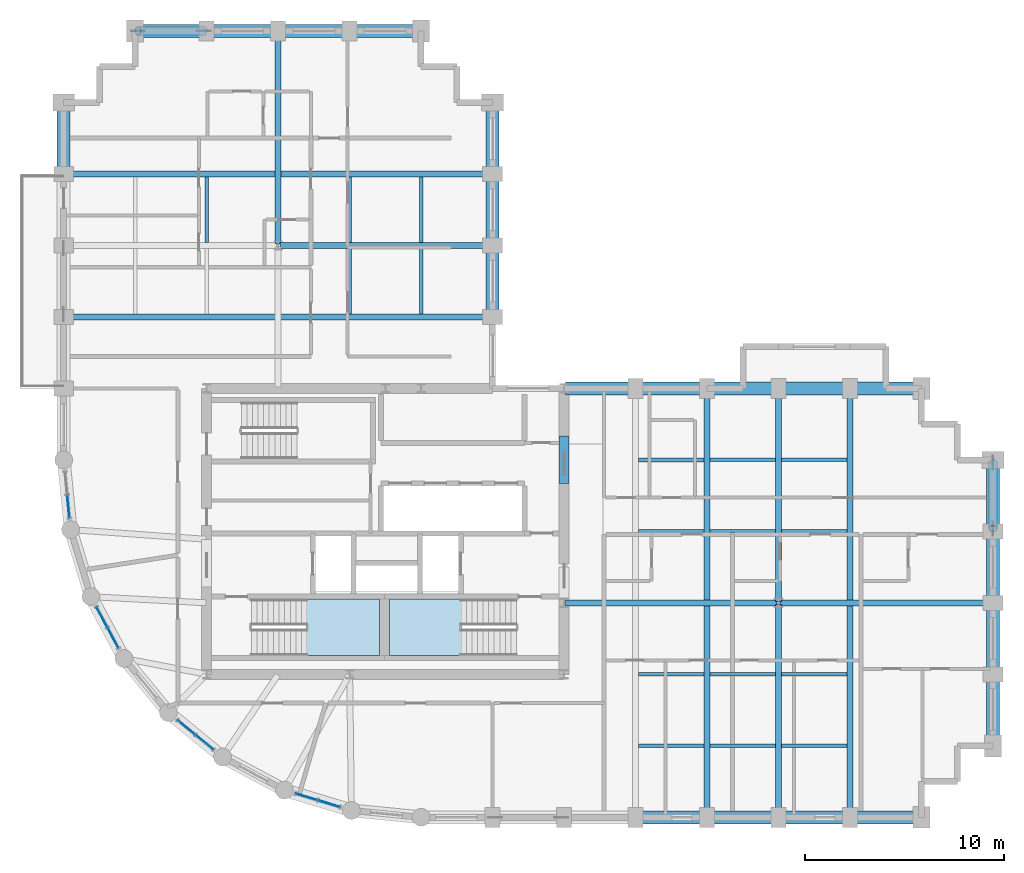
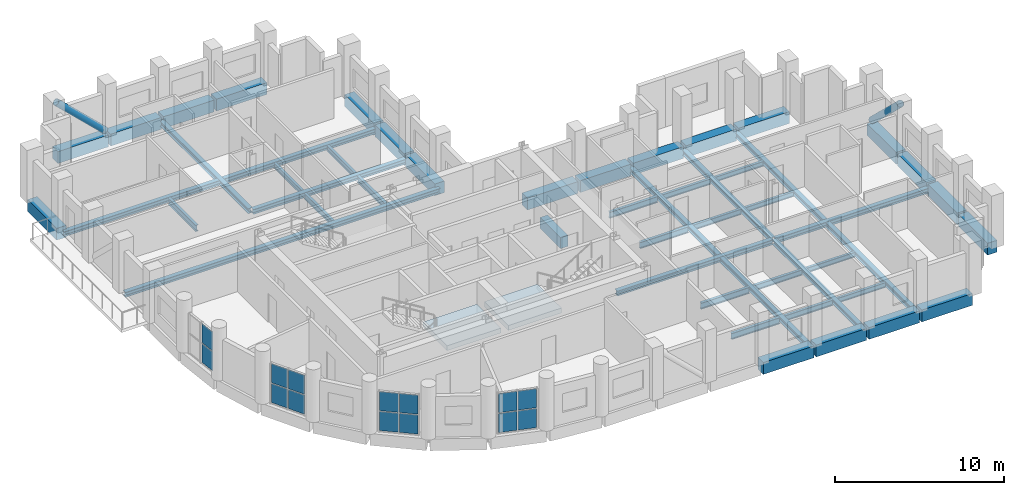
# One storey, part 7 of 15: 49 beams, 14 plates, 2 members, 2 slabs, 6 elements without a shape of their own.
"""IFC4 building model written with IfcOpenShell, lengths in metres."""

from ifc_helpers import new_model, si_unit, direction, frame, origin, origin_2d, place, context, subcontext, project, spatial, polyline, rectangle, hollow_circle, i_section, outline, extrude, material, layer, layer_set, material_profile, profile_set, type_object, element, aggregate, save


model = new_model("IFC4")

# Units and contexts
model_context = context("Model", 3, precision=1e-05, world=origin(), true_north=direction((0.0, 1.0)))
body_context = subcontext(model_context, "Body", "Model", "MODEL_VIEW")
ifc_project = project(units=[si_unit("LENGTHUNIT", "METRE"), si_unit("AREAUNIT", "SQUARE_METRE"), si_unit("VOLUMEUNIT", "CUBIC_METRE"), si_unit("PLANEANGLEUNIT", "RADIAN"), si_unit("MASSUNIT", "GRAM", prefix="KILO")], contexts=[model_context])

# Site, building, storey
site_placement = place(None, origin())
site = spatial("IfcSite", under=ifc_project, at=site_placement, CompositionType="ELEMENT")
building_placement = place(site_placement, origin())
building = spatial("IfcBuilding", under=site, at=building_placement, Name="Solnavia Interchange Tower", CompositionType="ELEMENT")
storey_placement = place(building_placement, frame((0.0, 0.0, 146.60009765625)))
storey = spatial("IfcBuildingStorey", under=building, at=storey_placement, Name="L36", CompositionType="ELEMENT", Elevation=146.60009765625)

# Beams
ifc_material_1 = material(Name="Concrete C50/60", Category="concrete")
ifc_material_profile_1 = material_profile(ifc_material_1, rectangle(XDim=0.5, YDim=0.800048828125, at=origin_2d()), Name="RC 500x800")
ifc_profile_set_1 = profile_set([ifc_material_profile_1], Name="Concrete C50/60")
beam_type_1 = type_object("IfcBeamType", Name="Beam-Coupling-RC500x800", PredefinedType="LINTEL", material=ifc_profile_set_1)
beam_1_placement = place(storey_placement, frame((32.39990234375, 20.39990234375, -0.400146484375), z_axis=(0.0, 1.0, 0.0), x_axis=(-1.0, 0.0, 0.0)))
element("IfcBeam", 1, at=beam_1_placement, inside=storey, type_object=beam_type_1, Name="CPB-L36-E2 Core coupling lintel beam", PredefinedType="LINTEL", context=body_context, shape_type="SweptSolid", body=[
    extrude(rectangle(XDim=0.5, YDim=0.800048828125, at=origin_2d()), origin(), (0.0, 0.0, 1.0), 2.400146484375),
])
ifc_material_2 = material(Name="Steel S460", Category="steel")
ifc_material_profile_2 = material_profile(ifc_material_2, i_section(OverallWidth=0.300048828125, OverallDepth=0.360107421875, WebThickness=0.012451171875, FlangeThickness=0.0224609375, FilletRadius=0.027099609375, at=origin_2d()), Name="HEB 360")
ifc_profile_set_2 = profile_set([ifc_material_profile_2], Name="Steel S460")
beam_type_2 = type_object("IfcBeamType", Name="Beam-Girder-HEB360", PredefinedType="BEAM", material=ifc_profile_set_2)
beam_2_placement = place(storey_placement, frame((32.47998046875, 14.39990234375, -0.43017578125), z_axis=(1.0, 0.0, 0.0), x_axis=(0.0, 1.0, 0.0)))
element("IfcBeam", 2, at=beam_2_placement, inside=storey, type_object=beam_type_2, Name="GRD-L36-ES01 East wing spine girder", PredefinedType="BEAM", context=body_context, shape_type="SweptSolid", body=[
    extrude(i_section(OverallWidth=0.300048828125, OverallDepth=0.360107421875, WebThickness=0.012451171875, FlangeThickness=0.0224609375, FilletRadius=0.027099609375, at=origin_2d()), origin(), (0.0, 0.0, 1.0), 10.64013671875),
])
beam_3_placement = place(storey_placement, frame((43.280029296875, 14.39990234375, -0.43017578125), z_axis=(1.0, 0.0, 0.0), x_axis=(0.0, 1.0, 0.0)))
element("IfcBeam", 3, at=beam_3_placement, inside=storey, type_object=beam_type_2, Name="GRD-L36-ES02 East wing spine girder", PredefinedType="BEAM", context=body_context, shape_type="SweptSolid", body=[
    extrude(i_section(OverallWidth=0.300048828125, OverallDepth=0.360107421875, WebThickness=0.012451171875, FlangeThickness=0.0224609375, FilletRadius=0.027099609375, at=origin_2d()), origin(), (0.0, 0.0, 1.0), 10.639892578125),
])
for number, where, z_axis, x_axis, name in (
    (4, (39.60009765625, 3.679931640625, -0.43017578125), (0.0, 1.0, 0.0), (-1.0, 0.0, 0.0), "GRD-L36-EW04 East wing primary floor girder"),
    (5, (46.800048828125, 3.679931640625, -0.43017578125), (0.0, 1.0, 0.0), (-1.0, 0.0, 0.0), "GRD-L36-EW07 East wing primary floor girder"),
):
    element("IfcBeam", number, at=place(storey_placement, frame(where, z_axis=z_axis, x_axis=x_axis)), inside=storey, type_object=beam_type_2, Name=name, PredefinedType="BEAM", context=body_context, shape_type="SweptSolid", body=[
        extrude(i_section(OverallWidth=0.300048828125, OverallDepth=0.360107421875, WebThickness=0.012451171875, FlangeThickness=0.0224609375, FilletRadius=0.027099609375, at=origin_2d()), origin(), (0.0, 0.0, 1.0), 21.440185546875),
    ])
beam_4_placement = place(storey_placement, frame((18.0, 32.47998046875, -0.43017578125), z_axis=(0.0, 1.0, 0.0), x_axis=(-1.0, 0.0, 0.0)))
element("IfcBeam", 6, at=beam_4_placement, inside=storey, type_object=beam_type_2, Name="GRD-L36-NS09 North wing spine girder", PredefinedType="BEAM", context=body_context, shape_type="SweptSolid", body=[
    extrude(i_section(OverallWidth=0.300048828125, OverallDepth=0.360107421875, WebThickness=0.012451171875, FlangeThickness=0.0224609375, FilletRadius=0.027099609375, at=origin_2d()), origin(), (0.0, 0.0, 1.0), 10.64013671875),
])
for number, where, z_axis, x_axis, name in (
    (7, (7.280029296875, 28.800048828125, -0.43017578125), (1.0, 0.0, 0.0), (0.0, 1.0, 0.0), "GRD-L36-NW10 North wing primary floor girder"),
    (8, (7.280029296875, 36.0, -0.43017578125), (1.0, 0.0, 0.0), (0.0, 1.0, 0.0), "GRD-L36-NW13 North wing primary floor girder"),
):
    element("IfcBeam", number, at=place(storey_placement, frame(where, z_axis=z_axis, x_axis=x_axis)), inside=storey, type_object=beam_type_2, Name=name, PredefinedType="BEAM", context=body_context, shape_type="SweptSolid", body=[
        extrude(i_section(OverallWidth=0.300048828125, OverallDepth=0.360107421875, WebThickness=0.012451171875, FlangeThickness=0.0224609375, FilletRadius=0.027099609375, at=origin_2d()), origin(), (0.0, 0.0, 1.0), 21.43994140625),
    ])
ifc_material_3 = material(Name="Steel S355", Category="steel")
ifc_material_profile_3 = material_profile(ifc_material_3, i_section(OverallWidth=0.169921875, OverallDepth=0.360107421875, WebThickness=0.008056640625, FlangeThickness=0.0126953125, FilletRadius=0.01806640625, at=origin_2d()), Name="IPE 360")
ifc_profile_set_3 = profile_set([ifc_material_profile_3], Name="Steel S355")
beam_type_3 = type_object("IfcBeamType", Name="Beam-Joist-IPE360", PredefinedType="JOIST", material=ifc_profile_set_3)
for number, where, z_axis, x_axis, name in (
    (9, (43.35009765625, 7.199951171875, -0.43017578125), (1.0, 0.0, 0.0), (0.0, 1.0, 0.0), "JST-L36-E03 East wing secondary joist"),
    (10, (43.35009765625, 10.800048828125, -0.43017578125), (1.0, 0.0, 0.0), (0.0, 1.0, 0.0), "JST-L36-E06 East wing secondary joist"),
    (11, (43.35009765625, 18.0, -0.43017578125), (1.0, 0.0, 0.0), (0.0, 1.0, 0.0), "JST-L36-E09 East wing secondary joist"),
    (12, (43.35009765625, 21.60009765625, -0.43017578125), (1.0, 0.0, 0.0), (0.0, 1.0, 0.0), "JST-L36-E12 East wing secondary joist"),
):
    element("IfcBeam", number, at=place(storey_placement, frame(where, z_axis=z_axis, x_axis=x_axis)), inside=storey, type_object=beam_type_3, Name=name, PredefinedType="JOIST", context=body_context, shape_type="SweptSolid", body=[
        extrude(i_section(OverallWidth=0.169921875, OverallDepth=0.360107421875, WebThickness=0.008056640625, FlangeThickness=0.0126953125, FilletRadius=0.01806640625, at=origin_2d()), origin(), (0.0, 0.0, 1.0), 3.2998046875),
    ])
beam_5_placement = place(storey_placement, frame((21.60009765625, 32.550048828125, -0.43017578125), z_axis=(0.0, 1.0, 0.0), x_axis=(-1.0, 0.0, 0.0)))
element("IfcBeam", 13, at=beam_5_placement, inside=storey, type_object=beam_type_3, Name="JST-L36-N18 North wing secondary joist", PredefinedType="JOIST", context=body_context, shape_type="SweptSolid", body=[
    extrude(i_section(OverallWidth=0.169921875, OverallDepth=0.360107421875, WebThickness=0.008056640625, FlangeThickness=0.0126953125, FilletRadius=0.01806640625, at=origin_2d()), origin(), (0.0, 0.0, 1.0), 3.300048828125),
])
ifc_material_profile_4 = material_profile(ifc_material_3, i_section(OverallWidth=0.179931640625, OverallDepth=0.39990234375, WebThickness=0.008544921875, FlangeThickness=0.013427734375, FilletRadius=0.02099609375, at=origin_2d()), Name="IPE 400")
ifc_profile_set_4 = profile_set([ifc_material_profile_4], Name="Steel S355")
beam_type_4 = type_object("IfcBeamType", Name="Beam-Joist-IPE400", PredefinedType="JOIST", material=ifc_profile_set_4)
for number, where, z_axis, x_axis, name in (
    (14, (39.75, 7.199951171875, -0.4501953125), (1.0, 0.0, 0.0), (0.0, 1.0, 0.0), "JST-L36-E02 East wing secondary joist"),
    (15, (39.75, 10.800048828125, -0.4501953125), (1.0, 0.0, 0.0), (0.0, 1.0, 0.0), "JST-L36-E05 East wing secondary joist"),
    (16, (39.75, 18.0, -0.4501953125), (1.0, 0.0, 0.0), (0.0, 1.0, 0.0), "JST-L36-E08 East wing secondary joist"),
    (17, (39.75, 21.60009765625, -0.4501953125), (1.0, 0.0, 0.0), (0.0, 1.0, 0.0), "JST-L36-E11 East wing secondary joist"),
    (18, (21.60009765625, 28.949951171875, -0.4501953125), (0.0, 1.0, 0.0), (-1.0, 0.0, 0.0), "JST-L36-N17 North wing secondary joist"),
    (19, (25.199951171875, 32.550048828125, -0.4501953125), (0.0, 1.0, 0.0), (-1.0, 0.0, 0.0), "JST-L36-N20 North wing secondary joist"),
):
    element("IfcBeam", number, at=place(storey_placement, frame(where, z_axis=z_axis, x_axis=x_axis)), inside=storey, type_object=beam_type_4, Name=name, PredefinedType="JOIST", context=body_context, shape_type="SweptSolid", body=[
        extrude(i_section(OverallWidth=0.179931640625, OverallDepth=0.39990234375, WebThickness=0.008544921875, FlangeThickness=0.013427734375, FilletRadius=0.02099609375, at=origin_2d()), origin(), (0.0, 0.0, 1.0), 3.300048828125),
    ])
ifc_material_profile_5 = material_profile(ifc_material_3, i_section(OverallWidth=0.18994140625, OverallDepth=0.449951171875, WebThickness=0.009521484375, FlangeThickness=0.0146484375, FilletRadius=0.02099609375, at=origin_2d()), Name="IPE 450")
ifc_profile_set_5 = profile_set([ifc_material_profile_5], Name="Steel S355")
beam_type_5 = type_object("IfcBeamType", Name="Beam-Joist-IPE450", PredefinedType="JOIST", material=ifc_profile_set_5)
for number, where, z_axis, x_axis, name in (
    (20, (36.14990234375, 7.199951171875, -0.47509765625), (1.0, 0.0, 0.0), (0.0, 1.0, 0.0), "JST-L36-E01 East wing secondary joist"),
    (21, (36.14990234375, 10.800048828125, -0.47509765625), (1.0, 0.0, 0.0), (0.0, 1.0, 0.0), "JST-L36-E04 East wing secondary joist"),
    (22, (36.14990234375, 18.0, -0.47509765625), (1.0, 0.0, 0.0), (0.0, 1.0, 0.0), "JST-L36-E07 East wing secondary joist"),
    (23, (36.14990234375, 21.60009765625, -0.47509765625), (1.0, 0.0, 0.0), (0.0, 1.0, 0.0), "JST-L36-E10 East wing secondary joist"),
    (24, (14.39990234375, 32.550048828125, -0.47509765625), (0.0, 1.0, 0.0), (-1.0, 0.0, 0.0), "JST-L36-N16 North wing secondary joist"),
    (25, (25.199951171875, 28.949951171875, -0.47509765625), (0.0, 1.0, 0.0), (-1.0, 0.0, 0.0), "JST-L36-N19 North wing secondary joist"),
):
    element("IfcBeam", number, at=place(storey_placement, frame(where, z_axis=z_axis, x_axis=x_axis)), inside=storey, type_object=beam_type_5, Name=name, PredefinedType="JOIST", context=body_context, shape_type="SweptSolid", body=[
        extrude(i_section(OverallWidth=0.18994140625, OverallDepth=0.449951171875, WebThickness=0.009521484375, FlangeThickness=0.0146484375, FilletRadius=0.02099609375, at=origin_2d()), origin(), (0.0, 0.0, 1.0), 3.300048828125),
    ])
ifc_material_profile_6 = material_profile(ifc_material_3, i_section(OverallWidth=0.300048828125, OverallDepth=0.35009765625, WebThickness=0.010009765625, FlangeThickness=0.017578125, FilletRadius=0.027099609375, at=origin_2d()), Name="HEA 360")
ifc_profile_set_6 = profile_set([ifc_material_profile_6], Name="Steel S355")
beam_type_6 = type_object("IfcBeamType", Name="Beam-Primary-HEA360", PredefinedType="BEAM", material=ifc_profile_set_6)
for number, where, z_axis, x_axis, name in (
    (26, (43.199951171875, 3.679931640625, -0.425048828125), (0.0, 1.0, 0.0), (-1.0, 0.0, 0.0), "GRD-L36-EW05 East wing primary floor girder"),
    (27, (43.199951171875, 14.47998046875, -0.425048828125), (0.0, 1.0, 0.0), (-1.0, 0.0, 0.0), "GRD-L36-EW06 East wing primary floor girder"),
):
    element("IfcBeam", number, at=place(storey_placement, frame(where, z_axis=z_axis, x_axis=x_axis)), inside=storey, type_object=beam_type_6, Name=name, PredefinedType="BEAM", context=body_context, shape_type="SweptSolid", body=[
        extrude(i_section(OverallWidth=0.300048828125, OverallDepth=0.35009765625, WebThickness=0.010009765625, FlangeThickness=0.017578125, FilletRadius=0.027099609375, at=origin_2d()), origin(), (0.0, 0.0, 1.0), 10.64013671875),
    ])
beam_6_placement = place(storey_placement, frame((18.080078125, 32.39990234375, -0.425048828125), z_axis=(1.0, 0.0, 0.0), x_axis=(0.0, 1.0, 0.0)))
element("IfcBeam", 28, at=beam_6_placement, inside=storey, type_object=beam_type_6, Name="GRD-L36-NW12 North wing primary floor girder", PredefinedType="BEAM", context=body_context, shape_type="SweptSolid", body=[
    extrude(i_section(OverallWidth=0.300048828125, OverallDepth=0.35009765625, WebThickness=0.010009765625, FlangeThickness=0.017578125, FilletRadius=0.027099609375, at=origin_2d()), origin(), (0.0, 0.0, 1.0), 10.639892578125),
])
ifc_material_profile_7 = material_profile(ifc_material_1, rectangle(XDim=0.64990234375, YDim=0.85009765625, at=origin_2d()), Name="RC 650x850")
ifc_profile_set_7 = profile_set([ifc_material_profile_7], Name="Concrete C50/60")
beam_type_7 = type_object("IfcBeamType", Name="Beam-Spandrel-RC650x850", PredefinedType="SPANDREL", material=ifc_profile_set_7)
beam_7_placement = place(storey_placement, frame((36.080078125, 3.60009765625, -0.425048828125), z_axis=(1.0, 0.0, 0.0), x_axis=(0.0, 1.0, 0.0)))
element("IfcBeam", 29, at=beam_7_placement, inside=storey, type_object=beam_type_7, Name="SPB-L36-12 Framed-tube perimeter spandrel beam", PredefinedType="SPANDREL", context=body_context, shape_type="SweptSolid", body=[
    extrude(rectangle(XDim=0.64990234375, YDim=0.85009765625, at=origin_2d()), origin(), (0.0, 0.0, 1.0), 3.43994140625),
])
beam_8_placement = place(storey_placement, frame((39.679931640625, 3.60009765625, -0.425048828125), z_axis=(1.0, 0.0, 0.0), x_axis=(0.0, 1.0, 0.0)))
element("IfcBeam", 30, at=beam_8_placement, inside=storey, type_object=beam_type_7, Name="SPB-L36-13 Framed-tube perimeter spandrel beam", PredefinedType="SPANDREL", context=body_context, shape_type="SweptSolid", body=[
    extrude(rectangle(XDim=0.64990234375, YDim=0.85009765625, at=origin_2d()), origin(), (0.0, 0.0, 1.0), 3.440185546875),
])
beam_9_placement = place(storey_placement, frame((43.280029296875, 3.60009765625, -0.425048828125), z_axis=(1.0, 0.0, 0.0), x_axis=(0.0, 1.0, 0.0)))
element("IfcBeam", 31, at=beam_9_placement, inside=storey, type_object=beam_type_7, Name="SPB-L36-14 Framed-tube perimeter spandrel beam", PredefinedType="SPANDREL", context=body_context, shape_type="SweptSolid", body=[
    extrude(rectangle(XDim=0.64990234375, YDim=0.85009765625, at=origin_2d()), origin(), (0.0, 0.0, 1.0), 3.43994140625),
])
beam_10_placement = place(storey_placement, frame((46.8798828125, 3.60009765625, -0.425048828125), z_axis=(1.0, 0.0, 0.0), x_axis=(0.0, 1.0, 0.0)))
element("IfcBeam", 32, at=beam_10_placement, inside=storey, type_object=beam_type_7, Name="SPB-L36-15 Framed-tube perimeter spandrel beam", PredefinedType="SPANDREL", context=body_context, shape_type="SweptSolid", body=[
    extrude(rectangle(XDim=0.64990234375, YDim=0.85009765625, at=origin_2d()), origin(), (0.0, 0.0, 1.0), 3.440185546875),
])
beam_11_placement = place(storey_placement, frame((54.0, 7.280029296875, -0.425048828125), z_axis=(0.0, 1.0, 0.0), x_axis=(-1.0, 0.0, 0.0)))
element("IfcBeam", 33, at=beam_11_placement, inside=storey, type_object=beam_type_7, Name="SPB-L36-16 Framed-tube perimeter spandrel beam", PredefinedType="SPANDREL", context=body_context, shape_type="SweptSolid", body=[
    extrude(rectangle(XDim=0.64990234375, YDim=0.85009765625, at=origin_2d()), origin(), (0.0, 0.0, 1.0), 3.43994140625),
])
beam_12_placement = place(storey_placement, frame((54.0, 10.8798828125, -0.425048828125), z_axis=(0.0, 1.0, 0.0), x_axis=(-1.0, 0.0, 0.0)))
element("IfcBeam", 34, at=beam_12_placement, inside=storey, type_object=beam_type_7, Name="SPB-L36-17 Framed-tube perimeter spandrel beam", PredefinedType="SPANDREL", context=body_context, shape_type="SweptSolid", body=[
    extrude(rectangle(XDim=0.64990234375, YDim=0.85009765625, at=origin_2d()), origin(), (0.0, 0.0, 1.0), 3.440185546875),
])
for number, where, z_axis, x_axis, name in (
    (35, (54.0, 14.47998046875, -0.425048828125), (0.0, 1.0, 0.0), (-1.0, 0.0, 0.0), "SPB-L36-18 Framed-tube perimeter spandrel beam"),
    (36, (54.0, 18.080078125, -0.425048828125), (0.0, 1.0, 0.0), (-1.0, 0.0, 0.0), "SPB-L36-19 Framed-tube perimeter spandrel beam"),
):
    element("IfcBeam", number, at=place(storey_placement, frame(where, z_axis=z_axis, x_axis=x_axis)), inside=storey, type_object=beam_type_7, Name=name, PredefinedType="SPANDREL", context=body_context, shape_type="SweptSolid", body=[
        extrude(rectangle(XDim=0.64990234375, YDim=0.85009765625, at=origin_2d()), origin(), (0.0, 0.0, 1.0), 3.43994140625),
    ])
beam_13_placement = place(storey_placement, frame((50.320068359375, 25.199951171875, -0.425048828125), z_axis=(-1.0, 0.0, 0.0), x_axis=(0.0, -1.0, 0.0)))
element("IfcBeam", 37, at=beam_13_placement, inside=storey, type_object=beam_type_7, Name="SPB-L36-20 Framed-tube perimeter spandrel beam", PredefinedType="SPANDREL", context=body_context, shape_type="SweptSolid", body=[
    extrude(rectangle(XDim=0.64990234375, YDim=0.85009765625, at=origin_2d()), origin(), (0.0, 0.0, 1.0), 3.440185546875),
])
beam_14_placement = place(storey_placement, frame((46.719970703125, 25.199951171875, -0.425048828125), z_axis=(-1.0, 0.0, 0.0), x_axis=(0.0, -1.0, 0.0)))
element("IfcBeam", 38, at=beam_14_placement, inside=storey, type_object=beam_type_7, Name="SPB-L36-21 Framed-tube perimeter spandrel beam", PredefinedType="SPANDREL", context=body_context, shape_type="SweptSolid", body=[
    extrude(rectangle(XDim=0.64990234375, YDim=0.85009765625, at=origin_2d()), origin(), (0.0, 0.0, 1.0), 3.43994140625),
])
beam_15_placement = place(storey_placement, frame((43.1201171875, 25.199951171875, -0.425048828125), z_axis=(-1.0, 0.0, 0.0), x_axis=(0.0, -1.0, 0.0)))
element("IfcBeam", 39, at=beam_15_placement, inside=storey, type_object=beam_type_7, Name="SPB-L36-22 Framed-tube perimeter spandrel beam", PredefinedType="SPANDREL", context=body_context, shape_type="SweptSolid", body=[
    extrude(rectangle(XDim=0.64990234375, YDim=0.85009765625, at=origin_2d()), origin(), (0.0, 0.0, 1.0), 3.440185546875),
])
for number, where, z_axis, x_axis, name in (
    (40, (39.52001953125, 25.199951171875, -0.425048828125), (-1.0, 0.0, 0.0), (0.0, -1.0, 0.0), "SPB-L36-23 Framed-tube perimeter spandrel beam"),
    (41, (35.919921875, 25.199951171875, -0.425048828125), (-1.0, 0.0, 0.0), (0.0, -1.0, 0.0), "SPB-L36-24 Framed-tube perimeter spandrel beam"),
):
    element("IfcBeam", number, at=place(storey_placement, frame(where, z_axis=z_axis, x_axis=x_axis)), inside=storey, type_object=beam_type_7, Name=name, PredefinedType="SPANDREL", context=body_context, shape_type="SweptSolid", body=[
        extrude(rectangle(XDim=0.64990234375, YDim=0.85009765625, at=origin_2d()), origin(), (0.0, 0.0, 1.0), 3.43994140625),
    ])
beam_16_placement = place(storey_placement, frame((28.800048828125, 28.8798828125, -0.425048828125), z_axis=(0.0, 1.0, 0.0), x_axis=(-1.0, 0.0, 0.0)))
element("IfcBeam", 42, at=beam_16_placement, inside=storey, type_object=beam_type_7, Name="SPB-L36-25 Framed-tube perimeter spandrel beam", PredefinedType="SPANDREL", context=body_context, shape_type="SweptSolid", body=[
    extrude(rectangle(XDim=0.64990234375, YDim=0.85009765625, at=origin_2d()), origin(), (0.0, 0.0, 1.0), 3.440185546875),
])
for number, where, z_axis, x_axis, name in (
    (43, (28.800048828125, 32.47998046875, -0.425048828125), (0.0, 1.0, 0.0), (-1.0, 0.0, 0.0), "SPB-L36-26 Framed-tube perimeter spandrel beam"),
    (44, (28.800048828125, 36.080078125, -0.425048828125), (0.0, 1.0, 0.0), (-1.0, 0.0, 0.0), "SPB-L36-27 Framed-tube perimeter spandrel beam"),
):
    element("IfcBeam", number, at=place(storey_placement, frame(where, z_axis=z_axis, x_axis=x_axis)), inside=storey, type_object=beam_type_7, Name=name, PredefinedType="SPANDREL", context=body_context, shape_type="SweptSolid", body=[
        extrude(rectangle(XDim=0.64990234375, YDim=0.85009765625, at=origin_2d()), origin(), (0.0, 0.0, 1.0), 3.43994140625),
    ])
beam_17_placement = place(storey_placement, frame((25.1201171875, 43.199951171875, -0.425048828125), z_axis=(-1.0, 0.0, 0.0), x_axis=(0.0, -1.0, 0.0)))
element("IfcBeam", 45, at=beam_17_placement, inside=storey, type_object=beam_type_7, Name="SPB-L36-28 Framed-tube perimeter spandrel beam", PredefinedType="SPANDREL", context=body_context, shape_type="SweptSolid", body=[
    extrude(rectangle(XDim=0.64990234375, YDim=0.85009765625, at=origin_2d()), origin(), (0.0, 0.0, 1.0), 3.440185546875),
])
for number, where, z_axis, x_axis, name in (
    (46, (21.52001953125, 43.199951171875, -0.425048828125), (-1.0, 0.0, 0.0), (0.0, -1.0, 0.0), "SPB-L36-29 Framed-tube perimeter spandrel beam"),
    (47, (17.919921875, 43.199951171875, -0.425048828125), (-1.0, 0.0, 0.0), (0.0, -1.0, 0.0), "SPB-L36-30 Framed-tube perimeter spandrel beam"),
):
    element("IfcBeam", number, at=place(storey_placement, frame(where, z_axis=z_axis, x_axis=x_axis)), inside=storey, type_object=beam_type_7, Name=name, PredefinedType="SPANDREL", context=body_context, shape_type="SweptSolid", body=[
        extrude(rectangle(XDim=0.64990234375, YDim=0.85009765625, at=origin_2d()), origin(), (0.0, 0.0, 1.0), 3.43994140625),
    ])
beam_18_placement = place(storey_placement, frame((14.320068359375, 43.199951171875, -0.425048828125), z_axis=(-1.0, 0.0, 0.0), x_axis=(0.0, -1.0, 0.0)))
element("IfcBeam", 48, at=beam_18_placement, inside=storey, type_object=beam_type_7, Name="SPB-L36-31 Framed-tube perimeter spandrel beam", PredefinedType="SPANDREL", context=body_context, shape_type="SweptSolid", body=[
    extrude(rectangle(XDim=0.64990234375, YDim=0.85009765625, at=origin_2d()), origin(), (0.0, 0.0, 1.0), 3.440185546875),
])
beam_19_placement = place(storey_placement, frame((7.199951171875, 39.52001953125, -0.425048828125), z_axis=(0.0, -1.0, 0.0), x_axis=(1.0, 0.0, 0.0)))
element("IfcBeam", 49, at=beam_19_placement, inside=storey, type_object=beam_type_7, Name="SPB-L36-32 Framed-tube perimeter spandrel beam", PredefinedType="SPANDREL", context=body_context, shape_type="SweptSolid", body=[
    extrude(rectangle(XDim=0.64990234375, YDim=0.85009765625, at=origin_2d()), origin(), (0.0, 0.0, 1.0), 3.43994140625),
])

# Members
ifc_material_profile_8 = material_profile(ifc_material_2, hollow_circle(Radius=0.228515625, WallThickness=0.02001953125, at=origin_2d()), Name="CHS 457x20")
ifc_profile_set_8 = profile_set([ifc_material_profile_8], Name="Steel S460")
member_type = type_object("IfcMemberType", Name="Brace-Perim-CHS457", PredefinedType="BRACE", material=ifc_profile_set_8)
for number, where, z_axis, x_axis, name in (
    (50, (54.0, 21.4599609375, 0.179931640625), (0.0, -0.721096918576, 0.692834203847), (1.0, 0.0, 0.0), "BRC-L36-03 Perimeter tube diagonal brace"),
    (51, (14.260009765625, 43.199951171875, 0.179931640625), (-0.721096918576, 0.0, 0.692834203847), (0.0, -1.0, 0.0), "BRC-L36-04 Perimeter tube diagonal brace"),
):
    element("IfcMember", number, at=place(storey_placement, frame(where, z_axis=z_axis, x_axis=x_axis)), inside=storey, type_object=member_type, Name=name, PredefinedType="BRACE", context=body_context, shape_type="SweptSolid", body=[
        extrude(hollow_circle(Radius=0.228515625, WallThickness=0.02001953125, at=origin_2d()), origin(), (0.0, 0.0, 1.0), 4.604248046875),
    ])

# Curtain wall, plates
ifc_material_4 = material(Name="Aluminium Alloy 6063-T6", Category="aluminium")
ifc_layer_1 = layer(ifc_material_4, 0.239990234375)
ifc_layer_set_1 = layer_set([ifc_layer_1], Name="Aluminium Alloy 6063-T6")
curtain_wall_type = type_object("IfcCurtainWallType", Name="CurtainWall-Drum-CTW2", PredefinedType="NOTDEFINED", material=ifc_layer_set_1)
curtain_wall_1_placement = place(storey_placement, origin())
curtain_wall_1 = element("IfcCurtainWall", 52, at=curtain_wall_1_placement, inside=storey, type_object=curtain_wall_type, Name="CTW-L36-D51 CTW-2 curtain wall", PredefinedType="NOTDEFINED")
ifc_material_5 = material(Name="Double-Glazed Low-E IGU Glass", Category="glass")
ifc_layer_2 = layer(ifc_material_5, 0.031982421875)
ifc_layer_set_2 = layer_set([ifc_layer_2], Name="Double-Glazed Low-E IGU Glass")
plate_type = type_object("IfcPlateType", Name="CW-Panel-Solar-32", PredefinedType="CURTAIN_PANEL", material=ifc_layer_set_2)
plate_1_placement = place(storey_placement, frame((7.431396484375, 19.252197265625, 0.06494140625), z_axis=(0.0, 0.0, 1.0), x_axis=(0.098043088306, -0.995182170678, 0.0)))
plate_1 = element("IfcPlate", 53, at=plate_1_placement, type_object=plate_type, Name="CTW-2 panel 2.1", PredefinedType="CURTAIN_PANEL", context=body_context, shape_type="SweptSolid", body=[
    extrude(rectangle(XDim=1.114501953125, YDim=0.031982421875, at=origin_2d()), origin(), (0.0, 0.0, 1.0), 1.367431640625),
])
plate_2_placement = place(storey_placement, frame((7.431396484375, 19.252197265625, 1.49755859375), z_axis=(0.0, 0.0, 1.0), x_axis=(0.098043088306, -0.995182170678, 0.0)))
plate_2 = element("IfcPlate", 54, at=plate_2_placement, type_object=plate_type, Name="CTW-2 panel 2.2", PredefinedType="CURTAIN_PANEL", context=body_context, shape_type="SweptSolid", body=[
    extrude(rectangle(XDim=1.114501953125, YDim=0.031982421875, at=origin_2d()), origin(), (0.0, 0.0, 1.0), 1.367431640625),
])
aggregate(curtain_wall_1, [plate_1, plate_2])

curtain_wall_2_placement = place(storey_placement, origin())
curtain_wall_2 = element("IfcCurtainWall", 55, at=curtain_wall_2_placement, inside=storey, type_object=curtain_wall_type, Name="CTW-L36-D53 CTW-2 curtain wall", PredefinedType="NOTDEFINED")
plate_3_placement = place(storey_placement, frame((9.12158203125, 13.680419921875, 0.06494140625), z_axis=(0.0, 0.0, 1.0), x_axis=(0.471560876964, -0.881833509976, 0.0)))
plate_3 = element("IfcPlate", 56, at=plate_3_placement, type_object=plate_type, Name="CTW-2 panel 1.1", PredefinedType="CURTAIN_PANEL", context=body_context, shape_type="SweptSolid", body=[
    extrude(rectangle(XDim=1.114501953125, YDim=0.031982421875, at=origin_2d()), origin(), (0.0, 0.0, 1.0), 1.367431640625),
])
plate_4_placement = place(storey_placement, frame((9.12158203125, 13.680419921875, 1.49755859375), z_axis=(0.0, 0.0, 1.0), x_axis=(0.471560876964, -0.881833509976, 0.0)))
plate_4 = element("IfcPlate", 57, at=plate_4_placement, type_object=plate_type, Name="CTW-2 panel 1.2", PredefinedType="CURTAIN_PANEL", context=body_context, shape_type="SweptSolid", body=[
    extrude(rectangle(XDim=1.114501953125, YDim=0.031982421875, at=origin_2d()), origin(), (0.0, 0.0, 1.0), 1.367431640625),
])
plate_5_placement = place(storey_placement, frame((9.682373046875, 12.631591796875, 0.06494140625), z_axis=(0.0, 0.0, 1.0), x_axis=(0.471560876964, -0.881833509976, 0.0)))
plate_5 = element("IfcPlate", 58, at=plate_5_placement, type_object=plate_type, Name="CTW-2 panel 2.1", PredefinedType="CURTAIN_PANEL", context=body_context, shape_type="SweptSolid", body=[
    extrude(rectangle(XDim=1.114501953125, YDim=0.031982421875, at=origin_2d()), origin(), (0.0, 0.0, 1.0), 1.367431640625),
])
plate_6_placement = place(storey_placement, frame((9.682373046875, 12.631591796875, 1.49755859375), z_axis=(0.0, 0.0, 1.0), x_axis=(0.471560876964, -0.881833509976, 0.0)))
plate_6 = element("IfcPlate", 59, at=plate_6_placement, type_object=plate_type, Name="CTW-2 panel 2.2", PredefinedType="CURTAIN_PANEL", context=body_context, shape_type="SweptSolid", body=[
    extrude(rectangle(XDim=1.114501953125, YDim=0.031982421875, at=origin_2d()), origin(), (0.0, 0.0, 1.0), 1.367431640625),
])
aggregate(curtain_wall_2, [plate_3, plate_4, plate_5, plate_6])

curtain_wall_3_placement = place(storey_placement, origin())
curtain_wall_3 = element("IfcCurtainWall", 60, at=curtain_wall_3_placement, inside=storey, type_object=curtain_wall_type, Name="CTW-L36-D55 CTW-2 curtain wall", PredefinedType="NOTDEFINED")
plate_7_placement = place(storey_placement, frame((13.376220703125, 8.130126953125, 0.06494140625), z_axis=(0.0, 0.0, 1.0), x_axis=(0.773103093557, -0.634280384951, 0.0)))
plate_7 = element("IfcPlate", 61, at=plate_7_placement, type_object=plate_type, Name="CTW-2 panel 1.1", PredefinedType="CURTAIN_PANEL", context=body_context, shape_type="SweptSolid", body=[
    extrude(rectangle(XDim=1.1142578125, YDim=0.031982421875, at=origin_2d()), origin(), (0.0, 0.0, 1.0), 1.367431640625),
])
plate_8_placement = place(storey_placement, frame((13.376220703125, 8.130126953125, 1.49755859375), z_axis=(0.0, 0.0, 1.0), x_axis=(0.773103093557, -0.634280384951, 0.0)))
plate_8 = element("IfcPlate", 62, at=plate_8_placement, type_object=plate_type, Name="CTW-2 panel 1.2", PredefinedType="CURTAIN_PANEL", context=body_context, shape_type="SweptSolid", body=[
    extrude(rectangle(XDim=1.1142578125, YDim=0.031982421875, at=origin_2d()), origin(), (0.0, 0.0, 1.0), 1.367431640625),
])
plate_9_placement = place(storey_placement, frame((14.295654296875, 7.375732421875, 0.06494140625), z_axis=(0.0, 0.0, 1.0), x_axis=(0.773103093557, -0.634280384951, 0.0)))
plate_9 = element("IfcPlate", 63, at=plate_9_placement, type_object=plate_type, Name="CTW-2 panel 2.1", PredefinedType="CURTAIN_PANEL", context=body_context, shape_type="SweptSolid", body=[
    extrude(rectangle(XDim=1.1142578125, YDim=0.031982421875, at=origin_2d()), origin(), (0.0, 0.0, 1.0), 1.367431640625),
])
plate_10_placement = place(storey_placement, frame((14.295654296875, 7.375732421875, 1.49755859375), z_axis=(0.0, 0.0, 1.0), x_axis=(0.773103093557, -0.634280384951, 0.0)))
plate_10 = element("IfcPlate", 64, at=plate_10_placement, type_object=plate_type, Name="CTW-2 panel 2.2", PredefinedType="CURTAIN_PANEL", context=body_context, shape_type="SweptSolid", body=[
    extrude(rectangle(XDim=1.1142578125, YDim=0.031982421875, at=origin_2d()), origin(), (0.0, 0.0, 1.0), 1.367431640625),
])
aggregate(curtain_wall_3, [plate_7, plate_8, plate_9, plate_10])

curtain_wall_4_placement = place(storey_placement, origin())
curtain_wall_4 = element("IfcCurtainWall", 65, at=curtain_wall_4_placement, inside=storey, type_object=curtain_wall_type, Name="CTW-L36-D57 CTW-2 curtain wall", PredefinedType="NOTDEFINED")
plate_11_placement = place(storey_placement, frame((19.43115234375, 4.630615234375, 0.06494140625), z_axis=(0.0, 0.0, 1.0), x_axis=(0.956942072515, -0.290278951786, 0.0)))
plate_11 = element("IfcPlate", 66, at=plate_11_placement, type_object=plate_type, Name="CTW-2 panel 1.1", PredefinedType="CURTAIN_PANEL", context=body_context, shape_type="SweptSolid", body=[
    extrude(rectangle(XDim=1.114013671875, YDim=0.031982421875, at=origin_2d()), origin(), (0.0, 0.0, 1.0), 1.367431640625),
])
plate_12_placement = place(storey_placement, frame((19.43115234375, 4.630615234375, 1.49755859375), z_axis=(0.0, 0.0, 1.0), x_axis=(0.956942072515, -0.290278951786, 0.0)))
plate_12 = element("IfcPlate", 67, at=plate_12_placement, type_object=plate_type, Name="CTW-2 panel 1.2", PredefinedType="CURTAIN_PANEL", context=body_context, shape_type="SweptSolid", body=[
    extrude(rectangle(XDim=1.114013671875, YDim=0.031982421875, at=origin_2d()), origin(), (0.0, 0.0, 1.0), 1.367431640625),
])
plate_13_placement = place(storey_placement, frame((20.56884765625, 4.285400390625, 0.06494140625), z_axis=(0.0, 0.0, 1.0), x_axis=(0.956942072515, -0.290278951786, 0.0)))
plate_13 = element("IfcPlate", 68, at=plate_13_placement, type_object=plate_type, Name="CTW-2 panel 2.1", PredefinedType="CURTAIN_PANEL", context=body_context, shape_type="SweptSolid", body=[
    extrude(rectangle(XDim=1.114013671875, YDim=0.031982421875, at=origin_2d()), origin(), (0.0, 0.0, 1.0), 1.367431640625),
])
plate_14_placement = place(storey_placement, frame((20.56884765625, 4.285400390625, 1.49755859375), z_axis=(0.0, 0.0, 1.0), x_axis=(0.956942072515, -0.290278951786, 0.0)))
plate_14 = element("IfcPlate", 69, at=plate_14_placement, type_object=plate_type, Name="CTW-2 panel 2.2", PredefinedType="CURTAIN_PANEL", context=body_context, shape_type="SweptSolid", body=[
    extrude(rectangle(XDim=1.114013671875, YDim=0.031982421875, at=origin_2d()), origin(), (0.0, 0.0, 1.0), 1.367431640625),
])
aggregate(curtain_wall_4, [plate_11, plate_12, plate_13, plate_14])

# Stair, slab
ifc_material_6 = material(Name="Concrete C40/50", Category="concrete")
stair_type = type_object("IfcStairType", Name="Stair-Dogleg-RC", PredefinedType="HALF_TURN_STAIR", material=ifc_material_6)
stair_1_placement = place(storey_placement, origin())
stair_1 = element("IfcStair", 70, at=stair_1_placement, inside=storey, type_object=stair_type, Name="L36 Core exit stair 1", PredefinedType="HALF_TURN_STAIR")
ifc_layer_3 = layer(ifc_material_6, 0.35009765625)
ifc_layer_set_3 = layer_set([ifc_layer_3], Name="Concrete C40/50")
slab_type = type_object("IfcSlabType", Name="Slab-StairLanding-350", PredefinedType="LANDING", material=ifc_layer_set_3)
slab_1_placement = place(storey_placement, frame((0.0, 0.0, 1.5498046875)))
slab_1 = element("IfcSlab", 71, at=slab_1_placement, type_object=slab_type, Name="ST-1 landing 1", PredefinedType="LANDING", context=body_context, shape_type="SweptSolid", body=[
    extrude(outline(polyline([(19.427978515625, 11.75), (23.10009765625, 11.75), (23.10009765625, 14.590087890625), (19.427978515625, 14.590087890625), (19.427978515625, 11.75)])), origin(), (0.0, 0.0, 1.0), 0.35009765625),
])
aggregate(stair_1, [slab_1])

stair_2_placement = place(storey_placement, origin())
stair_2 = element("IfcStair", 72, at=stair_2_placement, inside=storey, type_object=stair_type, Name="L36 Core exit stair 2", PredefinedType="HALF_TURN_STAIR")
slab_2_placement = place(storey_placement, frame((0.0, 0.0, 1.5498046875)))
slab_2 = element("IfcSlab", 73, at=slab_2_placement, type_object=slab_type, Name="ST-2 landing 1", PredefinedType="LANDING", context=body_context, shape_type="SweptSolid", body=[
    extrude(outline(polyline([(23.60009765625, 11.75), (27.221923828125, 11.75), (27.221923828125, 14.590087890625), (23.60009765625, 14.590087890625), (23.60009765625, 11.75)])), origin(), (0.0, 0.0, 1.0), 0.35009765625),
])
aggregate(stair_2, [slab_2])

save(model, "model.ifc")
